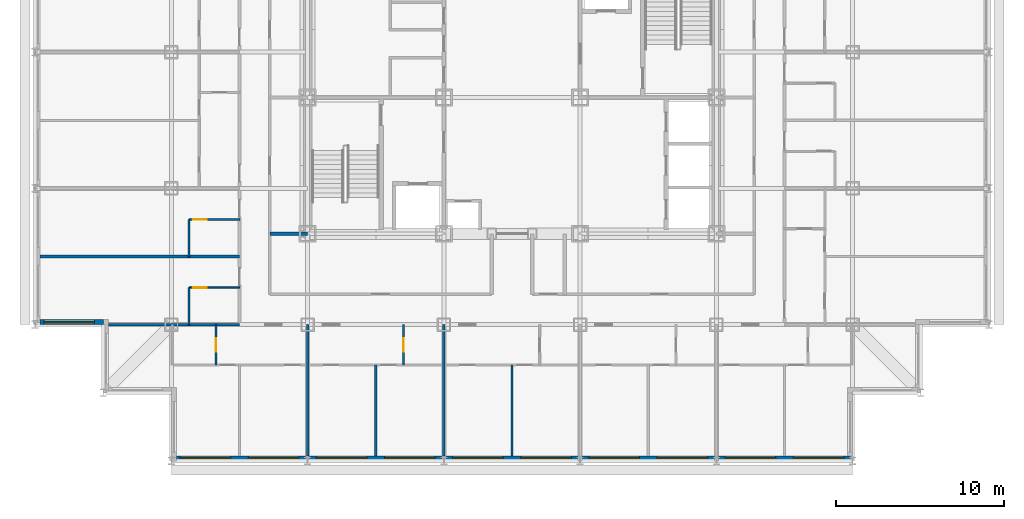
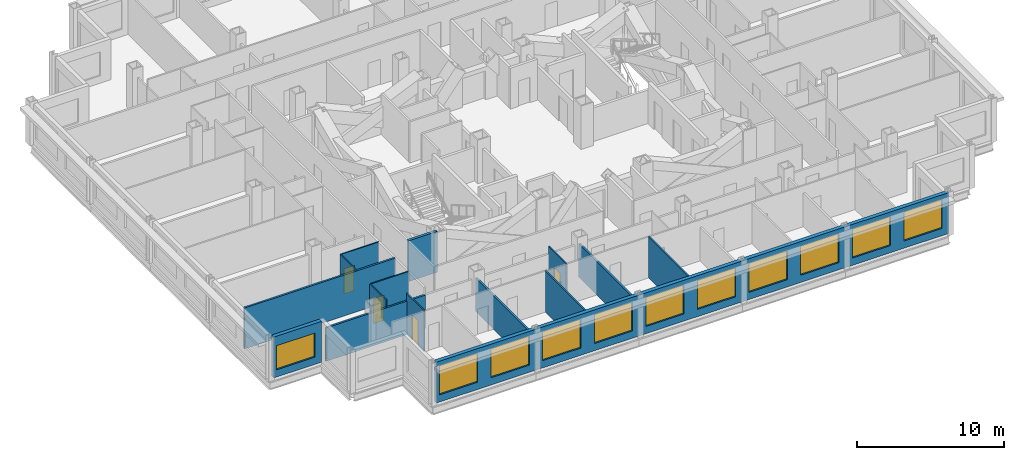
# One storey, part 4 of 12: 15 walls, 11 windows, 4 doors, 15 openings.
"""IFC4 building model written with IfcOpenShell, lengths in metres."""

from ifc_helpers import new_model, si_unit, direction, frame, frame_2d, origin, place, context, subcontext, project, spatial, rectangle, extrude, material, layer, layer_set, type_object, element, fill, save


model = new_model("IFC4")

# Units and contexts
model_context = context("Model", 3, precision=1e-05, world=origin(), true_north=direction((0.0, 1.0)))
body_context = subcontext(model_context, "Body", "Model", "MODEL_VIEW")
ifc_project = project(units=[si_unit("LENGTHUNIT", "METRE"), si_unit("AREAUNIT", "SQUARE_METRE"), si_unit("VOLUMEUNIT", "CUBIC_METRE"), si_unit("PLANEANGLEUNIT", "RADIAN"), si_unit("MASSUNIT", "GRAM", prefix="KILO")], contexts=[model_context])

# Site, building, storey
site_placement = place(None, origin())
site = spatial("IfcSite", under=ifc_project, at=site_placement, CompositionType="ELEMENT")
building_placement = place(site_placement, origin())
building = spatial("IfcBuilding", under=site, at=building_placement, Name="Kopane Lantern Tower", CompositionType="ELEMENT")
storey_placement = place(building_placement, frame((0.0, 0.0, 188.39990234375)))
storey = spatial("IfcBuildingStorey", under=building, at=storey_placement, Name="L48", CompositionType="ELEMENT", Elevation=188.39990234375)

# Walls
ifc_material_1 = material(Name="Gypsum board on steel studs", Category="steel")
ifc_layer_1 = layer(ifc_material_1, 0.1201171875)
ifc_layer_set_1 = layer_set([ifc_layer_1], Name="APARTMENT INTERNAL WALL 120")
wall_type_1 = type_object("IfcWallType", Name="APARTMENT INTERNAL WALL 120", PredefinedType="PARTITIONING", material=ifc_layer_set_1)
for number, where, z_axis, x_axis, name in (
    (1, (20.25, 16.5, 0.0), (0.0, 0.0, 1.0), (0.0, -1.0, 0.0), "Apartment Internal Wall 120 L48"),
    (2, (28.35009765625, 16.5, 0.0), (0.0, 0.0, 1.0), (0.0, -1.0, 0.0), "Apartment Internal Wall 120 L48"),
):
    element("IfcWall", number, at=place(storey_placement, frame(where, z_axis=z_axis, x_axis=x_axis)), inside=storey, type_object=wall_type_1, Name=name, PredefinedType="PARTITIONING", context=body_context, shape_type="SweptSolid", body=[
        extrude(rectangle(XDim=5.39990234375, YDim=0.1201171875, at=frame_2d((2.699951171875, 0.0))), origin(), (0.0, 0.0, 1.0), 3.39013671875),
    ])

# Wall, opening, door
ifc_material_2 = material(Name="Moisture-resistant board on steel studs", Category="steel")
ifc_layer_2 = layer(ifc_material_2, 0.10009765625)
ifc_layer_set_2 = layer_set([ifc_layer_2], Name="BATHROOM WALL 100")
wall_type_2 = type_object("IfcWallType", Name="BATHROOM WALL 100", PredefinedType="PARTITIONING", material=ifc_layer_set_2)
wall_1_placement = place(storey_placement, frame((21.89990234375, 18.89990234375, 0.0), z_axis=(0.0, 0.0, 1.0), x_axis=(0.0, -1.0, 0.0)))
wall_1 = element("IfcWall", 3, at=wall_1_placement, inside=storey, type_object=wall_type_2, Name="Bathroom Wall 100 L48", PredefinedType="PARTITIONING", context=body_context, shape_type="SweptSolid", body=[
    extrude(rectangle(XDim=2.39990234375, YDim=0.10009765625, at=frame_2d((1.199951171875, 0.0))), origin(), (0.0, 0.0, 1.0), 3.39013671875),
])
opening_1_placement = place(wall_1_placement, frame((0.800048828125, 0.0, 0.0)))
opening_1 = element("IfcOpeningElement", 4, at=opening_1_placement, cuts=wall_1, Name="Opening L48-012", PredefinedType="OPENING", context=body_context, shape_type="SweptSolid", body=[
    extrude(rectangle(XDim=0.800048828125, YDim=2.10009765625, at=frame_2d((0.39990234375, 1.050048828125))), frame((0.0, 0.06005859375, 0.0), z_axis=(0.0, -1.0, 0.0), x_axis=(1.0, 0.0, 0.0)), (0.0, 0.0, 1.0), 0.1201171875),
])
ifc_material_3 = material(Name="Timber door set", Category="wood")
door_type = type_object("IfcDoorType", Name="DOOR D2 800x2100", OperationType="SINGLE_SWING_LEFT", PredefinedType="DOOR", material=ifc_material_3)
door_1_placement = place(opening_1_placement, origin())
door_1 = element("IfcDoor", 5, at=door_1_placement, inside=storey, type_object=door_type, Name="Door L48-012", OperationType="SINGLE_SWING_LEFT", OverallHeight=2.10009765625, OverallWidth=0.800048828125, PredefinedType="DOOR", context=body_context, shape_type="SweptSolid", body=[
    extrude(rectangle(XDim=0.800048828125, YDim=2.10009765625, at=frame_2d((0.39990234375, 1.050048828125))), frame((0.0, 0.02490234375, 0.0), z_axis=(0.0, -1.0, 0.0), x_axis=(1.0, 0.0, 0.0)), (0.0, 0.0, 1.0), 0.050048828125),
])
fill(opening_1, door_1)

# Wall
wall_2_placement = place(storey_placement, frame((9.14990234375, 18.89990234375, 0.0), z_axis=(0.0, 0.0, 1.0), x_axis=(0.0, 1.0, 0.0)))
element("IfcWall", 6, at=wall_2_placement, inside=storey, type_object=wall_type_2, Name="Bathroom Wall 100 L48", PredefinedType="PARTITIONING", context=body_context, shape_type="SweptSolid", body=[
    extrude(rectangle(XDim=2.2001953125, YDim=0.10009765625, at=frame_2d((1.10009765625, 0.0))), origin(), (0.0, 0.0, 1.0), 3.39013671875),
])

# Wall, opening, door
wall_3_placement = place(storey_placement, frame((12.14990234375, 21.10009765625, 0.0), z_axis=(0.0, 0.0, 1.0), x_axis=(-1.0, 0.0, 0.0)))
wall_3 = element("IfcWall", 7, at=wall_3_placement, inside=storey, type_object=wall_type_2, Name="Bathroom Wall 100 L48", PredefinedType="PARTITIONING", context=body_context, shape_type="SweptSolid", body=[
    extrude(rectangle(XDim=3.0, YDim=0.10009765625, at=frame_2d((1.5, 0.0))), origin(), (0.0, 0.0, 1.0), 3.39013671875),
])
opening_2_placement = place(wall_3_placement, frame((1.949951171875, 0.0, 0.0)))
opening_2 = element("IfcOpeningElement", 8, at=opening_2_placement, cuts=wall_3, Name="Opening L48-032", PredefinedType="OPENING", context=body_context, shape_type="SweptSolid", body=[
    extrude(rectangle(XDim=0.800048828125, YDim=2.10009765625, at=frame_2d((0.39990234375, 1.050048828125))), frame((0.0, 0.06005859375, 0.0), z_axis=(0.0, -1.0, 0.0), x_axis=(1.0, 0.0, 0.0)), (0.0, 0.0, 1.0), 0.1201171875),
])
door_2_placement = place(opening_2_placement, origin())
door_2 = element("IfcDoor", 9, at=door_2_placement, inside=storey, type_object=door_type, Name="Door L48-032", OperationType="SINGLE_SWING_RIGHT", OverallHeight=2.10009765625, OverallWidth=0.800048828125, PredefinedType="DOOR", context=body_context, shape_type="SweptSolid", body=[
    extrude(rectangle(XDim=0.800048828125, YDim=2.10009765625, at=frame_2d((0.39990234375, 1.050048828125))), frame((0.0, 0.02490234375, 0.0), z_axis=(0.0, -1.0, 0.0), x_axis=(1.0, 0.0, 0.0)), (0.0, 0.0, 1.0), 0.050048828125),
])
fill(opening_2, door_2)

# Wall
wall_4_placement = place(storey_placement, frame((9.14990234375, 22.949951171875, 0.0), z_axis=(0.0, 0.0, 1.0), x_axis=(0.0, 1.0, 0.0)))
element("IfcWall", 10, at=wall_4_placement, inside=storey, type_object=wall_type_2, Name="Bathroom Wall 100 L48", PredefinedType="PARTITIONING", context=body_context, shape_type="SweptSolid", body=[
    extrude(rectangle(XDim=2.199951171875, YDim=0.10009765625, at=frame_2d((1.10009765625, 0.0))), origin(), (0.0, 0.0, 1.0), 3.39013671875),
])

# Wall, opening, door
wall_5_placement = place(storey_placement, frame((12.14990234375, 25.14990234375, 0.0), z_axis=(0.0, 0.0, 1.0), x_axis=(-1.0, 0.0, 0.0)))
wall_5 = element("IfcWall", 11, at=wall_5_placement, inside=storey, type_object=wall_type_2, Name="Bathroom Wall 100 L48", PredefinedType="PARTITIONING", context=body_context, shape_type="SweptSolid", body=[
    extrude(rectangle(XDim=3.0, YDim=0.10009765625, at=frame_2d((1.5, 0.0))), origin(), (0.0, 0.0, 1.0), 3.39013671875),
])
opening_3_placement = place(wall_5_placement, frame((1.949951171875, 0.0, 0.0)))
opening_3 = element("IfcOpeningElement", 12, at=opening_3_placement, cuts=wall_5, Name="Opening L48-034", PredefinedType="OPENING", context=body_context, shape_type="SweptSolid", body=[
    extrude(rectangle(XDim=0.800048828125, YDim=2.10009765625, at=frame_2d((0.39990234375, 1.050048828125))), frame((0.0, 0.06005859375, 0.0), z_axis=(0.0, -1.0, 0.0), x_axis=(1.0, 0.0, 0.0)), (0.0, 0.0, 1.0), 0.1201171875),
])
door_3_placement = place(opening_3_placement, origin())
door_3 = element("IfcDoor", 13, at=door_3_placement, inside=storey, type_object=door_type, Name="Door L48-034", OperationType="SINGLE_SWING_RIGHT", OverallHeight=2.10009765625, OverallWidth=0.800048828125, PredefinedType="DOOR", context=body_context, shape_type="SweptSolid", body=[
    extrude(rectangle(XDim=0.800048828125, YDim=2.10009765625, at=frame_2d((0.39990234375, 1.050048828125))), frame((0.0, 0.02490234375, 0.0), z_axis=(0.0, -1.0, 0.0), x_axis=(1.0, 0.0, 0.0)), (0.0, 0.0, 1.0), 0.050048828125),
])
fill(opening_3, door_3)

wall_6_placement = place(storey_placement, frame((10.75, 18.89990234375, 0.0), z_axis=(0.0, 0.0, 1.0), x_axis=(0.0, -1.0, 0.0)))
wall_6 = element("IfcWall", 14, at=wall_6_placement, inside=storey, type_object=wall_type_2, Name="Bathroom Wall 100 L48", PredefinedType="PARTITIONING", context=body_context, shape_type="SweptSolid", body=[
    extrude(rectangle(XDim=2.39990234375, YDim=0.10009765625, at=frame_2d((1.199951171875, 0.0))), origin(), (0.0, 0.0, 1.0), 3.39013671875),
])
opening_4_placement = place(wall_6_placement, frame((0.800048828125, 0.0, 0.0)))
opening_4 = element("IfcOpeningElement", 15, at=opening_4_placement, cuts=wall_6, Name="Opening L48-062", PredefinedType="OPENING", context=body_context, shape_type="SweptSolid", body=[
    extrude(rectangle(XDim=0.800048828125, YDim=2.10009765625, at=frame_2d((0.39990234375, 1.050048828125))), frame((0.0, 0.06005859375, 0.0), z_axis=(0.0, -1.0, 0.0), x_axis=(1.0, 0.0, 0.0)), (0.0, 0.0, 1.0), 0.1201171875),
])
door_4_placement = place(opening_4_placement, origin())
door_4 = element("IfcDoor", 16, at=door_4_placement, inside=storey, type_object=door_type, Name="Door L48-062", OperationType="SINGLE_SWING_RIGHT", OverallHeight=2.10009765625, OverallWidth=0.800048828125, PredefinedType="DOOR", context=body_context, shape_type="SweptSolid", body=[
    extrude(rectangle(XDim=0.800048828125, YDim=2.10009765625, at=frame_2d((0.39990234375, 1.050048828125))), frame((0.0, 0.02490234375, 0.0), z_axis=(0.0, -1.0, 0.0), x_axis=(1.0, 0.0, 0.0)), (0.0, 0.0, 1.0), 0.050048828125),
])
fill(opening_4, door_4)

# Walls
ifc_material_4 = material(Name="Gypsum board on steel studs", Category="steel")
ifc_layer_3 = layer(ifc_material_4, 0.14990234375)
ifc_layer_set_3 = layer_set([ifc_layer_3], Name="DEMISING WALL 150 EI 60")
wall_type_3 = type_object("IfcWallType", Name="DEMISING WALL 150 EI 60", PredefinedType="PARTITIONING", material=ifc_layer_set_3)
wall_7_placement = place(storey_placement, frame((24.300048828125, 18.89990234375, 0.0), z_axis=(0.0, 0.0, 1.0), x_axis=(0.0, -1.0, 0.0)))
element("IfcWall", 17, at=wall_7_placement, inside=storey, type_object=wall_type_3, Name="Demising Wall 150 Ei 60 L48", PredefinedType="PARTITIONING", context=body_context, shape_type="SweptSolid", body=[
    extrude(rectangle(XDim=7.7998046875, YDim=0.14990234375, at=frame_2d((3.89990234375, 0.0))), origin(), (0.0, 0.0, 1.0), 2.77783203125),
])
wall_8_placement = place(storey_placement, frame((12.14990234375, 22.949951171875, 0.0), z_axis=(0.0, 0.0, 1.0), x_axis=(-1.0, 0.0, 0.0)))
element("IfcWall", 18, at=wall_8_placement, inside=storey, type_object=wall_type_3, Name="Demising Wall 150 Ei 60 L48", PredefinedType="PARTITIONING", context=body_context, shape_type="SweptSolid", body=[
    extrude(rectangle(XDim=11.849853515625, YDim=0.14990234375, at=frame_2d((5.9248046875, 0.0))), origin(), (0.0, 0.0, 1.0), 3.39013671875),
])
for number, where, z_axis, x_axis, name in (
    (19, (4.35009765625, 18.89990234375, 0.0), (0.0, 0.0, 1.0), (1.0, 0.0, 0.0), "Demising Wall 150 Ei 60 L48"),
    (20, (16.199951171875, 18.89990234375, 0.0), (0.0, 0.0, 1.0), (0.0, -1.0, 0.0), "Demising Wall 150 Ei 60 L48"),
):
    element("IfcWall", number, at=place(storey_placement, frame(where, z_axis=z_axis, x_axis=x_axis)), inside=storey, type_object=wall_type_3, Name=name, PredefinedType="PARTITIONING", context=body_context, shape_type="SweptSolid", body=[
        extrude(rectangle(XDim=7.7998046875, YDim=0.14990234375, at=frame_2d((3.89990234375, 0.0))), origin(), (0.0, 0.0, 1.0), 2.77783203125),
    ])

# Wall, openings, windows
ifc_material_5 = material(Name="Terracotta rainscreen on light steel framing", Category="masonry")
ifc_layer_4 = layer(ifc_material_5, 0.300048828125)
ifc_layer_set_4 = layer_set([ifc_layer_4], Name="EXTERNAL WALL EW1 300 TERRACOTTA")
wall_type_4 = type_object("IfcWallType", Name="EXTERNAL WALL EW1 300 TERRACOTTA", PredefinedType="SOLIDWALL", material=ifc_layer_set_4)
wall_9_placement = place(storey_placement, frame((8.39990234375, 10.949951171875, 0.0), z_axis=(0.0, 0.0, 1.0), x_axis=(1.0, 0.0, 0.0)))
wall_9 = element("IfcWall", 21, at=wall_9_placement, inside=storey, type_object=wall_type_4, Name="External wall S L48", PredefinedType="SOLIDWALL", context=body_context, shape_type="SweptSolid", body=[
    extrude(rectangle(XDim=40.2001953125, YDim=0.300048828125, at=frame_2d((20.10009765625, 0.0))), origin(), (0.0, 0.0, 1.0), 3.39013671875),
])
opening_5_placement = place(wall_9_placement, frame((0.22509765625, 0.0, 0.60009765625)))
opening_5 = element("IfcOpeningElement", 22, at=opening_5_placement, cuts=wall_9, Name="Opening WR300240", PredefinedType="OPENING", context=body_context, shape_type="SweptSolid", body=[
    extrude(rectangle(XDim=3.0, YDim=2.39990234375, at=frame_2d((1.5, 1.199951171875))), frame((0.0, 0.159912109375, 0.0), z_axis=(0.0, -1.0, 0.0), x_axis=(1.0, 0.0, 0.0)), (0.0, 0.0, 1.0), 0.320068359375),
])
opening_6_placement = place(wall_9_placement, frame((4.27490234375, 0.0, 0.60009765625)))
opening_6 = element("IfcOpeningElement", 23, at=opening_6_placement, cuts=wall_9, Name="Opening WR300240", PredefinedType="OPENING", context=body_context, shape_type="SweptSolid", body=[
    extrude(rectangle(XDim=3.0, YDim=2.39990234375, at=frame_2d((1.5, 1.199951171875))), frame((0.0, 0.159912109375, 0.0), z_axis=(0.0, -1.0, 0.0), x_axis=(1.0, 0.0, 0.0)), (0.0, 0.0, 1.0), 0.320068359375),
])
opening_7_placement = place(wall_9_placement, frame((8.324951171875, 0.0, 0.60009765625)))
opening_7 = element("IfcOpeningElement", 24, at=opening_7_placement, cuts=wall_9, Name="Opening WR300240", PredefinedType="OPENING", context=body_context, shape_type="SweptSolid", body=[
    extrude(rectangle(XDim=3.0, YDim=2.39990234375, at=frame_2d((1.5, 1.199951171875))), frame((0.0, 0.159912109375, 0.0), z_axis=(0.0, -1.0, 0.0), x_axis=(1.0, 0.0, 0.0)), (0.0, 0.0, 1.0), 0.320068359375),
])
opening_8_placement = place(wall_9_placement, frame((12.375, 0.0, 0.60009765625)))
opening_8 = element("IfcOpeningElement", 25, at=opening_8_placement, cuts=wall_9, Name="Opening WR300240", PredefinedType="OPENING", context=body_context, shape_type="SweptSolid", body=[
    extrude(rectangle(XDim=3.0, YDim=2.39990234375, at=frame_2d((1.5, 1.199951171875))), frame((0.0, 0.159912109375, 0.0), z_axis=(0.0, -1.0, 0.0), x_axis=(1.0, 0.0, 0.0)), (0.0, 0.0, 1.0), 0.320068359375),
])
opening_9_placement = place(wall_9_placement, frame((16.425048828125, 0.0, 0.60009765625)))
opening_9 = element("IfcOpeningElement", 26, at=opening_9_placement, cuts=wall_9, Name="Opening WR300240", PredefinedType="OPENING", context=body_context, shape_type="SweptSolid", body=[
    extrude(rectangle(XDim=3.0, YDim=2.39990234375, at=frame_2d((1.5, 1.199951171875))), frame((0.0, 0.159912109375, 0.0), z_axis=(0.0, -1.0, 0.0), x_axis=(1.0, 0.0, 0.0)), (0.0, 0.0, 1.0), 0.320068359375),
])
opening_10_placement = place(wall_9_placement, frame((20.47509765625, 0.0, 0.60009765625)))
opening_10 = element("IfcOpeningElement", 27, at=opening_10_placement, cuts=wall_9, Name="Opening WR300240", PredefinedType="OPENING", context=body_context, shape_type="SweptSolid", body=[
    extrude(rectangle(XDim=3.0, YDim=2.39990234375, at=frame_2d((1.5, 1.199951171875))), frame((0.0, 0.159912109375, 0.0), z_axis=(0.0, -1.0, 0.0), x_axis=(1.0, 0.0, 0.0)), (0.0, 0.0, 1.0), 0.320068359375),
])
opening_11_placement = place(wall_9_placement, frame((24.52490234375, 0.0, 0.60009765625)))
opening_11 = element("IfcOpeningElement", 28, at=opening_11_placement, cuts=wall_9, Name="Opening WR300240", PredefinedType="OPENING", context=body_context, shape_type="SweptSolid", body=[
    extrude(rectangle(XDim=3.0, YDim=2.39990234375, at=frame_2d((1.5, 1.199951171875))), frame((0.0, 0.159912109375, 0.0), z_axis=(0.0, -1.0, 0.0), x_axis=(1.0, 0.0, 0.0)), (0.0, 0.0, 1.0), 0.320068359375),
])
opening_12_placement = place(wall_9_placement, frame((28.574951171875, 0.0, 0.60009765625)))
opening_12 = element("IfcOpeningElement", 29, at=opening_12_placement, cuts=wall_9, Name="Opening WR300240", PredefinedType="OPENING", context=body_context, shape_type="SweptSolid", body=[
    extrude(rectangle(XDim=3.0, YDim=2.39990234375, at=frame_2d((1.5, 1.199951171875))), frame((0.0, 0.159912109375, 0.0), z_axis=(0.0, -1.0, 0.0), x_axis=(1.0, 0.0, 0.0)), (0.0, 0.0, 1.0), 0.320068359375),
])
opening_13_placement = place(wall_9_placement, frame((32.625, 0.0, 0.60009765625)))
opening_13 = element("IfcOpeningElement", 30, at=opening_13_placement, cuts=wall_9, Name="Opening WR300240", PredefinedType="OPENING", context=body_context, shape_type="SweptSolid", body=[
    extrude(rectangle(XDim=3.0, YDim=2.39990234375, at=frame_2d((1.5, 1.199951171875))), frame((0.0, 0.159912109375, 0.0), z_axis=(0.0, -1.0, 0.0), x_axis=(1.0, 0.0, 0.0)), (0.0, 0.0, 1.0), 0.320068359375),
])
opening_14_placement = place(wall_9_placement, frame((36.675048828125, 0.0, 0.60009765625)))
opening_14 = element("IfcOpeningElement", 31, at=opening_14_placement, cuts=wall_9, Name="Opening WR300240", PredefinedType="OPENING", context=body_context, shape_type="SweptSolid", body=[
    extrude(rectangle(XDim=3.0, YDim=2.39990234375, at=frame_2d((1.5, 1.199951171875))), frame((0.0, 0.159912109375, 0.0), z_axis=(0.0, -1.0, 0.0), x_axis=(1.0, 0.0, 0.0)), (0.0, 0.0, 1.0), 0.320068359375),
])
ifc_material_6 = material(Name="Aluminium and clear glass", Category="aluminium")
window_type_1 = type_object("IfcWindowType", Name="RIBBON WINDOW WR300240 3000x2400", PartitioningType="SINGLE_PANEL", PredefinedType="WINDOW", material=ifc_material_6)
window_1_placement = place(opening_5_placement, origin())
window_1 = element("IfcWindow", 32, at=window_1_placement, inside=storey, type_object=window_type_1, Name="Window S L48", OverallHeight=2.39990234375, OverallWidth=3.0, PartitioningType="SINGLE_PANEL", PredefinedType="WINDOW", context=body_context, shape_type="SweptSolid", body=[
    extrude(rectangle(XDim=3.0, YDim=2.39990234375, at=frame_2d((1.5, 1.199951171875))), frame((0.0, 0.030029296875, 0.0), z_axis=(0.0, -1.0, 0.0), x_axis=(1.0, 0.0, 0.0)), (0.0, 0.0, 1.0), 0.06005859375),
])
fill(opening_5, window_1)
window_2_placement = place(opening_6_placement, origin())
window_2 = element("IfcWindow", 33, at=window_2_placement, inside=storey, type_object=window_type_1, Name="Window S L48", OverallHeight=2.39990234375, OverallWidth=3.0, PartitioningType="SINGLE_PANEL", PredefinedType="WINDOW", context=body_context, shape_type="SweptSolid", body=[
    extrude(rectangle(XDim=3.0, YDim=2.39990234375, at=frame_2d((1.5, 1.199951171875))), frame((0.0, 0.030029296875, 0.0), z_axis=(0.0, -1.0, 0.0), x_axis=(1.0, 0.0, 0.0)), (0.0, 0.0, 1.0), 0.06005859375),
])
fill(opening_6, window_2)
window_3_placement = place(opening_7_placement, origin())
window_3 = element("IfcWindow", 34, at=window_3_placement, inside=storey, type_object=window_type_1, Name="Window S L48", OverallHeight=2.39990234375, OverallWidth=3.0, PartitioningType="SINGLE_PANEL", PredefinedType="WINDOW", context=body_context, shape_type="SweptSolid", body=[
    extrude(rectangle(XDim=3.0, YDim=2.39990234375, at=frame_2d((1.5, 1.199951171875))), frame((0.0, 0.030029296875, 0.0), z_axis=(0.0, -1.0, 0.0), x_axis=(1.0, 0.0, 0.0)), (0.0, 0.0, 1.0), 0.06005859375),
])
fill(opening_7, window_3)
window_4_placement = place(opening_8_placement, origin())
window_4 = element("IfcWindow", 35, at=window_4_placement, inside=storey, type_object=window_type_1, Name="Window S L48", OverallHeight=2.39990234375, OverallWidth=3.0, PartitioningType="SINGLE_PANEL", PredefinedType="WINDOW", context=body_context, shape_type="SweptSolid", body=[
    extrude(rectangle(XDim=3.0, YDim=2.39990234375, at=frame_2d((1.5, 1.199951171875))), frame((0.0, 0.030029296875, 0.0), z_axis=(0.0, -1.0, 0.0), x_axis=(1.0, 0.0, 0.0)), (0.0, 0.0, 1.0), 0.06005859375),
])
fill(opening_8, window_4)
window_5_placement = place(opening_9_placement, origin())
window_5 = element("IfcWindow", 36, at=window_5_placement, inside=storey, type_object=window_type_1, Name="Window S L48", OverallHeight=2.39990234375, OverallWidth=3.0, PartitioningType="SINGLE_PANEL", PredefinedType="WINDOW", context=body_context, shape_type="SweptSolid", body=[
    extrude(rectangle(XDim=3.0, YDim=2.39990234375, at=frame_2d((1.5, 1.199951171875))), frame((0.0, 0.030029296875, 0.0), z_axis=(0.0, -1.0, 0.0), x_axis=(1.0, 0.0, 0.0)), (0.0, 0.0, 1.0), 0.06005859375),
])
fill(opening_9, window_5)
window_6_placement = place(opening_10_placement, origin())
window_6 = element("IfcWindow", 37, at=window_6_placement, inside=storey, type_object=window_type_1, Name="Window S L48", OverallHeight=2.39990234375, OverallWidth=3.0, PartitioningType="SINGLE_PANEL", PredefinedType="WINDOW", context=body_context, shape_type="SweptSolid", body=[
    extrude(rectangle(XDim=3.0, YDim=2.39990234375, at=frame_2d((1.5, 1.199951171875))), frame((0.0, 0.030029296875, 0.0), z_axis=(0.0, -1.0, 0.0), x_axis=(1.0, 0.0, 0.0)), (0.0, 0.0, 1.0), 0.06005859375),
])
fill(opening_10, window_6)
window_7_placement = place(opening_11_placement, origin())
window_7 = element("IfcWindow", 38, at=window_7_placement, inside=storey, type_object=window_type_1, Name="Window S L48", OverallHeight=2.39990234375, OverallWidth=3.0, PartitioningType="SINGLE_PANEL", PredefinedType="WINDOW", context=body_context, shape_type="SweptSolid", body=[
    extrude(rectangle(XDim=3.0, YDim=2.39990234375, at=frame_2d((1.5, 1.199951171875))), frame((0.0, 0.030029296875, 0.0), z_axis=(0.0, -1.0, 0.0), x_axis=(1.0, 0.0, 0.0)), (0.0, 0.0, 1.0), 0.06005859375),
])
fill(opening_11, window_7)
window_8_placement = place(opening_12_placement, origin())
window_8 = element("IfcWindow", 39, at=window_8_placement, inside=storey, type_object=window_type_1, Name="Window S L48", OverallHeight=2.39990234375, OverallWidth=3.0, PartitioningType="SINGLE_PANEL", PredefinedType="WINDOW", context=body_context, shape_type="SweptSolid", body=[
    extrude(rectangle(XDim=3.0, YDim=2.39990234375, at=frame_2d((1.5, 1.199951171875))), frame((0.0, 0.030029296875, 0.0), z_axis=(0.0, -1.0, 0.0), x_axis=(1.0, 0.0, 0.0)), (0.0, 0.0, 1.0), 0.06005859375),
])
fill(opening_12, window_8)
window_9_placement = place(opening_13_placement, origin())
window_9 = element("IfcWindow", 40, at=window_9_placement, inside=storey, type_object=window_type_1, Name="Window S L48", OverallHeight=2.39990234375, OverallWidth=3.0, PartitioningType="SINGLE_PANEL", PredefinedType="WINDOW", context=body_context, shape_type="SweptSolid", body=[
    extrude(rectangle(XDim=3.0, YDim=2.39990234375, at=frame_2d((1.5, 1.199951171875))), frame((0.0, 0.030029296875, 0.0), z_axis=(0.0, -1.0, 0.0), x_axis=(1.0, 0.0, 0.0)), (0.0, 0.0, 1.0), 0.06005859375),
])
fill(opening_13, window_9)
window_10_placement = place(opening_14_placement, origin())
window_10 = element("IfcWindow", 41, at=window_10_placement, inside=storey, type_object=window_type_1, Name="Window S L48", OverallHeight=2.39990234375, OverallWidth=3.0, PartitioningType="SINGLE_PANEL", PredefinedType="WINDOW", context=body_context, shape_type="SweptSolid", body=[
    extrude(rectangle(XDim=3.0, YDim=2.39990234375, at=frame_2d((1.5, 1.199951171875))), frame((0.0, 0.030029296875, 0.0), z_axis=(0.0, -1.0, 0.0), x_axis=(1.0, 0.0, 0.0)), (0.0, 0.0, 1.0), 0.06005859375),
])
fill(opening_14, window_10)

# Wall, opening, window
wall_10_placement = place(storey_placement, frame((0.300048828125, 19.050048828125, 0.0), z_axis=(0.0, 0.0, 1.0), x_axis=(1.0, 0.0, 0.0)))
wall_10 = element("IfcWall", 42, at=wall_10_placement, inside=storey, type_object=wall_type_4, Name="External wall S L48", PredefinedType="SOLIDWALL", context=body_context, shape_type="SweptSolid", body=[
    extrude(rectangle(XDim=3.75, YDim=0.300048828125, at=frame_2d((1.875, 0.0))), origin(), (0.0, 0.0, 1.0), 3.39013671875),
])
opening_15_placement = place(wall_10_placement, frame((0.22509765625, 0.0, 0.60009765625)))
opening_15 = element("IfcOpeningElement", 43, at=opening_15_placement, cuts=wall_10, Name="Opening WR300200", PredefinedType="OPENING", context=body_context, shape_type="SweptSolid", body=[
    extrude(rectangle(XDim=3.0, YDim=2.0, at=frame_2d((1.5, 1.0))), frame((0.0, 0.159912109375, 0.0), z_axis=(0.0, -1.0, 0.0), x_axis=(1.0, 0.0, 0.0)), (0.0, 0.0, 1.0), 0.320068359375),
])
ifc_material_7 = material(Name="Aluminium and clear glass", Category="aluminium")
window_type_2 = type_object("IfcWindowType", Name="RIBBON WINDOW WR300200 3000x2000", PartitioningType="SINGLE_PANEL", PredefinedType="WINDOW", material=ifc_material_7)
window_11_placement = place(opening_15_placement, origin())
window_11 = element("IfcWindow", 44, at=window_11_placement, inside=storey, type_object=window_type_2, Name="Window S L48", OverallHeight=2.0, OverallWidth=3.0, PartitioningType="SINGLE_PANEL", PredefinedType="WINDOW", context=body_context, shape_type="SweptSolid", body=[
    extrude(rectangle(XDim=3.0, YDim=2.0, at=frame_2d((1.5, 1.0))), frame((0.0, 0.030029296875, 0.0), z_axis=(0.0, -1.0, 0.0), x_axis=(1.0, 0.0, 0.0)), (0.0, 0.0, 1.0), 0.06005859375),
])
fill(opening_15, window_11)

# Wall
ifc_material_8 = material(Name="Concrete masonry", Category="masonry")
ifc_layer_5 = layer(ifc_material_8, 0.199951171875)
ifc_layer_set_5 = layer_set([ifc_layer_5], Name="PLANT ROOM WALL 200 EI 120")
wall_type_5 = type_object("IfcWallType", Name="PLANT ROOM WALL 200 EI 120", PredefinedType="SOLIDWALL", material=ifc_layer_set_5)
wall_11_placement = place(storey_placement, frame((13.949951171875, 24.300048828125, 0.0), z_axis=(0.0, 0.0, 1.0), x_axis=(1.0, 0.0, 0.0)))
element("IfcWall", 45, at=wall_11_placement, inside=storey, type_object=wall_type_5, Name="Plant Room Wall 200 Ei 120 L48", PredefinedType="SOLIDWALL", context=body_context, shape_type="SweptSolid", body=[
    extrude(rectangle(XDim=2.25, YDim=0.199951171875, at=frame_2d((1.125, 0.0))), origin(), (0.0, 0.0, 1.0), 3.39013671875),
])

save(model, "model.ifc")
